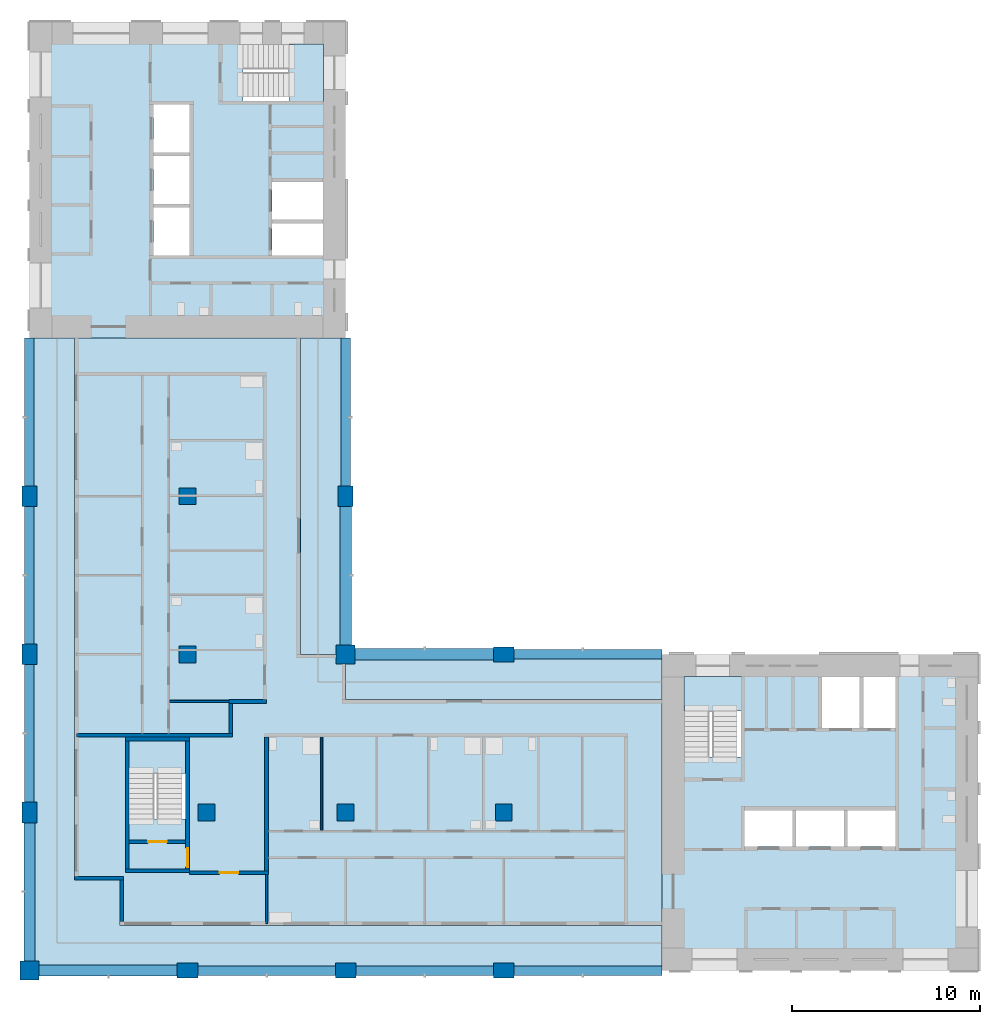
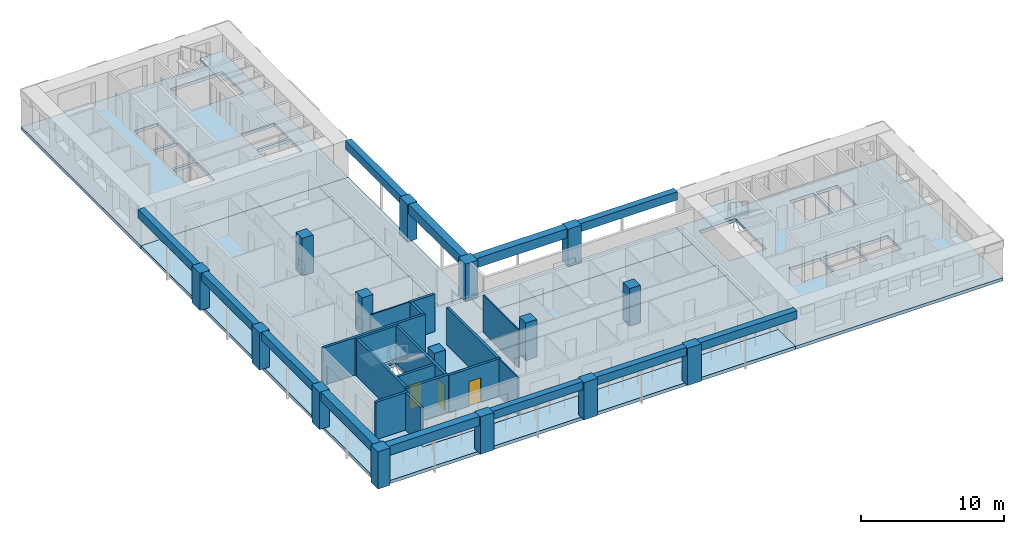
# One storey, part 1 of 10: 15 columns, 15 walls, 12 beams, 10 slabs, 3 doors, 3 openings, 3 elements without a shape of their own.
"""IFC4 building model written with IfcOpenShell, lengths in metres."""

from ifc_helpers import new_model, si_unit, direction, frame, frame_2d, origin, origin_2d, place, context, subcontext, project, spatial, polyline, rectangle, outline, extrude, material, layer, layer_set, material_profile, profile_set, type_object, element, fill, aggregate, save


model = new_model("IFC4")

# Units and contexts
model_context = context("Model", 3, precision=1e-05, world=origin(), true_north=direction((0.0, 1.0)))
body_context = subcontext(model_context, "Body", "Model", "MODEL_VIEW")
ifc_project = project(units=[si_unit("LENGTHUNIT", "METRE"), si_unit("AREAUNIT", "SQUARE_METRE"), si_unit("VOLUMEUNIT", "CUBIC_METRE"), si_unit("PLANEANGLEUNIT", "RADIAN"), si_unit("MASSUNIT", "GRAM", prefix="KILO")], contexts=[model_context])

# Site, building, storey
site_placement = place(None, origin())
site = spatial("IfcSite", under=ifc_project, at=site_placement, CompositionType="ELEMENT")
building_placement = place(site_placement, origin())
building = spatial("IfcBuilding", under=site, at=building_placement, Name="Vermilion Gate Residences", CompositionType="ELEMENT")
storey_placement = place(building_placement, frame((0.0, 0.0, 273.699951171875)))
storey = spatial("IfcBuildingStorey", under=building, at=storey_placement, Name="L72", CompositionType="ELEMENT", Elevation=273.699951171875)

# Columns
ifc_material_1 = material(Name="Concrete C50", Category="concrete")
ifc_material_profile_1 = material_profile(ifc_material_1, rectangle(XDim=1.0, YDim=1.0, at=origin_2d()), Name="RC-1000x1000")
ifc_profile_set_1 = profile_set([ifc_material_profile_1], Name="Concrete C50")
column_type_1 = type_object("IfcColumnType", Name="RC COLUMN 1000 X 1000 C50", PredefinedType="COLUMN", material=ifc_profile_set_1)
for number, where, z_axis, x_axis, name in (
    (1, (8.39990234375, 8.39990234375, 0.0), (0.0, 0.0, 1.0), (1.0, 0.0, 0.0), "Column 2-B L72"),
    (2, (25.199951171875, 25.199951171875, 0.0), (0.0, 0.0, 1.0), (1.0, 0.0, 0.0), "Column 4-D L72"),
):
    element("IfcColumn", number, at=place(storey_placement, frame(where, z_axis=z_axis, x_axis=x_axis)), inside=storey, type_object=column_type_1, Name=name, PredefinedType="COLUMN", context=body_context, shape_type="SweptSolid", body=[
        extrude(rectangle(XDim=1.0, YDim=1.0, at=origin_2d()), origin(), (0.0, 0.0, 1.0), 3.199951171875),
    ])
ifc_material_2 = material(Name="Concrete C50", Category="concrete")
ifc_material_profile_2 = material_profile(ifc_material_2, rectangle(XDim=1.10009765625, YDim=0.800048828125, at=origin_2d()), Name="RC-1100x800")
ifc_profile_set_2 = profile_set([ifc_material_profile_2], Name="Concrete C50")
column_type_2 = type_object("IfcColumnType", Name="RC COLUMN 1100 X 800 C50", PredefinedType="COLUMN", material=ifc_profile_set_2)
for number, where, z_axis, x_axis, name in (
    (3, (8.39990234375, 16.800048828125, 0.0), (0.0, 0.0, 1.0), (0.0, 1.0, 0.0), "Column 2-C L72"),
    (4, (8.39990234375, 25.199951171875, 0.0), (0.0, 0.0, 1.0), (0.0, 1.0, 0.0), "Column 2-D L72"),
    (5, (8.39990234375, 33.60009765625, 0.0), (0.0, 0.0, 1.0), (0.0, 1.0, 0.0), "Column 2-E L72"),
    (6, (16.800048828125, 8.39990234375, 0.0), (0.0, 0.0, 1.0), (1.0, 0.0, 0.0), "Column 3-B L72"),
    (7, (25.199951171875, 8.39990234375, 0.0), (0.0, 0.0, 1.0), (1.0, 0.0, 0.0), "Column 4-B L72"),
    (8, (25.199951171875, 33.60009765625, 0.0), (0.0, 0.0, 1.0), (0.0, 1.0, 0.0), "Column 4-E L72"),
    (9, (33.60009765625, 8.39990234375, 0.0), (0.0, 0.0, 1.0), (1.0, 0.0, 0.0), "Column 5-B L72"),
    (10, (33.60009765625, 25.199951171875, 0.0), (0.0, 0.0, 1.0), (1.0, 0.0, 0.0), "Column 5-D L72"),
):
    element("IfcColumn", number, at=place(storey_placement, frame(where, z_axis=z_axis, x_axis=x_axis)), inside=storey, type_object=column_type_2, Name=name, PredefinedType="COLUMN", context=body_context, shape_type="SweptSolid", body=[
        extrude(rectangle(XDim=1.10009765625, YDim=0.800048828125, at=origin_2d()), origin(), (0.0, 0.0, 1.0), 3.199951171875),
    ])
ifc_material_3 = material(Name="Concrete C50", Category="concrete")
ifc_material_profile_3 = material_profile(ifc_material_3, rectangle(XDim=0.89990234375, YDim=0.89990234375, at=origin_2d()), Name="RC-900x900")
ifc_profile_set_3 = profile_set([ifc_material_profile_3], Name="Concrete C50")
column_type_3 = type_object("IfcColumnType", Name="RC COLUMN 900 X 900 C50", PredefinedType="COLUMN", material=ifc_profile_set_3)
for number, where, z_axis, x_axis, name in (
    (11, (17.800048828125, 16.800048828125, 0.0), (0.0, 0.0, 1.0), (1.0, 0.0, 0.0), "Column 3-C L72"),
    (12, (16.800048828125, 25.199951171875, 0.0), (0.0, 0.0, 1.0), (1.0, 0.0, 0.0), "Column 3-D L72"),
    (13, (16.800048828125, 33.60009765625, 0.0), (0.0, 0.0, 1.0), (1.0, 0.0, 0.0), "Column 3-E L72"),
    (14, (25.199951171875, 16.800048828125, 0.0), (0.0, 0.0, 1.0), (1.0, 0.0, 0.0), "Column 4-C L72"),
    (15, (33.60009765625, 16.800048828125, 0.0), (0.0, 0.0, 1.0), (1.0, 0.0, 0.0), "Column 5-C L72"),
):
    element("IfcColumn", number, at=place(storey_placement, frame(where, z_axis=z_axis, x_axis=x_axis)), inside=storey, type_object=column_type_3, Name=name, PredefinedType="COLUMN", context=body_context, shape_type="SweptSolid", body=[
        extrude(rectangle(XDim=0.89990234375, YDim=0.89990234375, at=origin_2d()), origin(), (0.0, 0.0, 1.0), 3.199951171875),
    ])

# Beams
ifc_material_4 = material(Name="Concrete C60 red-oxide pigmented", Category="concrete")
ifc_material_profile_4 = material_profile(ifc_material_4, rectangle(XDim=0.60009765625, YDim=0.800048828125, at=origin_2d()), Name="RC-600x800")
ifc_profile_set_4 = profile_set([ifc_material_profile_4], Name="Concrete C60 red-oxide pigmented")
beam_type_1 = type_object("IfcBeamType", Name="RC CORNER EDGE BEAM 600 X 800 C60", PredefinedType="BEAM", material=ifc_profile_set_4)
for number, where, z_axis, x_axis, name in (
    (16, (8.89990234375, 8.39990234375, 2.800048828125), (1.0, 0.0, 0.0), (0.0, 1.0, 0.0), "Corner edge beam L72 1"),
    (17, (8.39990234375, 8.89990234375, 2.800048828125), (0.0, 1.0, 0.0), (-1.0, 0.0, 0.0), "Corner edge beam L72 2"),
    (18, (25.199951171875, 25.699951171875, 2.800048828125), (0.0, 1.0, 0.0), (-1.0, 0.0, 0.0), "Corner edge beam L72 7"),
    (19, (25.699951171875, 25.199951171875, 2.800048828125), (1.0, 0.0, 0.0), (0.0, 1.0, 0.0), "Corner edge beam L72 10"),
):
    element("IfcBeam", number, at=place(storey_placement, frame(where, z_axis=z_axis, x_axis=x_axis)), inside=storey, type_object=beam_type_1, Name=name, PredefinedType="BEAM", context=body_context, shape_type="SweptSolid", body=[
        extrude(rectangle(XDim=0.60009765625, YDim=0.800048828125, at=origin_2d()), origin(), (0.0, 0.0, 1.0), 7.35009765625),
    ])
ifc_material_5 = material(Name="Concrete C60 red-oxide pigmented", Category="concrete")
ifc_material_profile_5 = material_profile(ifc_material_5, rectangle(XDim=0.5, YDim=0.699951171875, at=origin_2d()), Name="RC-500x700")
ifc_profile_set_5 = profile_set([ifc_material_profile_5], Name="Concrete C60 red-oxide pigmented")
beam_type_2 = type_object("IfcBeamType", Name="RC EDGE BEAM 500 X 700 C60", PredefinedType="BEAM", material=ifc_profile_set_5)
beam_1_placement = place(storey_placement, frame((8.39990234375, 17.35009765625, 2.85009765625), z_axis=(0.0, 1.0, 0.0), x_axis=(-1.0, 0.0, 0.0)))
element("IfcBeam", 20, at=beam_1_placement, inside=storey, type_object=beam_type_2, Name="Edge beam L72 3", PredefinedType="BEAM", context=body_context, shape_type="SweptSolid", body=[
    extrude(rectangle(XDim=0.5, YDim=0.699951171875, at=origin_2d()), origin(), (0.0, 0.0, 1.0), 7.2998046875),
])
beam_2_placement = place(storey_placement, frame((8.39990234375, 25.75, 2.85009765625), z_axis=(0.0, 1.0, 0.0), x_axis=(-1.0, 0.0, 0.0)))
element("IfcBeam", 21, at=beam_2_placement, inside=storey, type_object=beam_type_2, Name="Edge beam L72 4", PredefinedType="BEAM", context=body_context, shape_type="SweptSolid", body=[
    extrude(rectangle(XDim=0.5, YDim=0.699951171875, at=origin_2d()), origin(), (0.0, 0.0, 1.0), 7.300048828125),
])
beam_3_placement = place(storey_placement, frame((8.39990234375, 34.14990234375, 2.85009765625), z_axis=(0.0, 1.0, 0.0), x_axis=(-1.0, 0.0, 0.0)))
element("IfcBeam", 22, at=beam_3_placement, inside=storey, type_object=beam_type_2, Name="Edge beam L72 5", PredefinedType="BEAM", context=body_context, shape_type="SweptSolid", body=[
    extrude(rectangle(XDim=0.5, YDim=0.699951171875, at=origin_2d()), origin(), (0.0, 0.0, 1.0), 7.85009765625),
])
beam_4_placement = place(storey_placement, frame((17.35009765625, 8.39990234375, 2.85009765625), z_axis=(1.0, 0.0, 0.0), x_axis=(0.0, 1.0, 0.0)))
element("IfcBeam", 23, at=beam_4_placement, inside=storey, type_object=beam_type_2, Name="Edge beam L72 6", PredefinedType="BEAM", context=body_context, shape_type="SweptSolid", body=[
    extrude(rectangle(XDim=0.5, YDim=0.699951171875, at=origin_2d()), origin(), (0.0, 0.0, 1.0), 7.2998046875),
])
beam_5_placement = place(storey_placement, frame((25.199951171875, 34.14990234375, 2.85009765625), z_axis=(0.0, 1.0, 0.0), x_axis=(-1.0, 0.0, 0.0)))
element("IfcBeam", 24, at=beam_5_placement, inside=storey, type_object=beam_type_2, Name="Edge beam L72 8", PredefinedType="BEAM", context=body_context, shape_type="SweptSolid", body=[
    extrude(rectangle(XDim=0.5, YDim=0.699951171875, at=origin_2d()), origin(), (0.0, 0.0, 1.0), 7.85009765625),
])
beam_6_placement = place(storey_placement, frame((25.75, 8.39990234375, 2.85009765625), z_axis=(1.0, 0.0, 0.0), x_axis=(0.0, 1.0, 0.0)))
element("IfcBeam", 25, at=beam_6_placement, inside=storey, type_object=beam_type_2, Name="Edge beam L72 9", PredefinedType="BEAM", context=body_context, shape_type="SweptSolid", body=[
    extrude(rectangle(XDim=0.5, YDim=0.699951171875, at=origin_2d()), origin(), (0.0, 0.0, 1.0), 7.300048828125),
])
for number, where, z_axis, x_axis, name in (
    (26, (34.14990234375, 8.39990234375, 2.85009765625), (1.0, 0.0, 0.0), (0.0, 1.0, 0.0), "Edge beam L72 11"),
    (27, (34.14990234375, 25.199951171875, 2.85009765625), (1.0, 0.0, 0.0), (0.0, 1.0, 0.0), "Edge beam L72 12"),
):
    element("IfcBeam", number, at=place(storey_placement, frame(where, z_axis=z_axis, x_axis=x_axis)), inside=storey, type_object=beam_type_2, Name=name, PredefinedType="BEAM", context=body_context, shape_type="SweptSolid", body=[
        extrude(rectangle(XDim=0.5, YDim=0.699951171875, at=origin_2d()), origin(), (0.0, 0.0, 1.0), 7.85009765625),
    ])

# Slabs
ifc_material_6 = material(Name="Concrete C50", Category="concrete")
ifc_layer_1 = layer(ifc_material_6, 0.280029296875)
ifc_layer_set_1 = layer_set([ifc_layer_1], Name="RC CORE FLOOR SLAB 280 C50")
slab_type_1 = type_object("IfcSlabType", Name="RC CORE FLOOR SLAB 280 C50", PredefinedType="FLOOR", material=ifc_layer_set_1)
slab_1_placement = place(storey_placement, frame((0.0, 0.0, -0.280029296875)))
element("IfcSlab", 28, at=slab_1_placement, inside=storey, type_object=slab_type_1, Name="Core floor slab A72", PredefinedType="FLOOR", context=body_context, shape_type="SweptSolid", body=[
    extrude(outline(polyline([(42.0, 8.39990234375), (58.800048828125, 8.39990234375), (58.800048828125, 25.199951171875), (42.0, 25.199951171875), (42.0, 8.39990234375)]), holes=[polyline([(46.39990234375, 15.0), (46.39990234375, 16.89990234375), (48.933349609375, 16.89990234375), (48.933349609375, 15.0), (46.39990234375, 15.0)]), polyline([(49.13330078125, 16.89990234375), (51.666748046875, 16.89990234375), (51.666748046875, 15.0), (49.13330078125, 15.0), (49.13330078125, 16.89990234375)]), polyline([(51.86669921875, 16.89990234375), (54.39990234375, 16.89990234375), (54.39990234375, 15.0), (51.86669921875, 15.0), (51.86669921875, 16.89990234375)]), polyline([(43.199951171875, 19.75), (43.199951171875, 24.0), (46.199951171875, 24.0), (46.199951171875, 19.75), (43.199951171875, 19.75)]), polyline([(50.5, 24.0), (52.5, 24.0), (52.5, 21.300048828125), (50.5, 21.300048828125), (50.5, 24.0)]), polyline([(52.699951171875, 24.0), (54.39990234375, 24.0), (54.39990234375, 21.300048828125), (52.699951171875, 21.300048828125), (52.699951171875, 24.0)])]), origin(), (0.0, 0.0, 1.0), 0.280029296875),
])
slab_2_placement = place(storey_placement, frame((0.0, 0.0, -0.280029296875)))
element("IfcSlab", 29, at=slab_2_placement, inside=storey, type_object=slab_type_1, Name="Core floor slab B72", PredefinedType="FLOOR", context=body_context, shape_type="SweptSolid", body=[
    extrude(outline(polyline([(8.39990234375, 42.0), (25.199951171875, 42.0), (25.199951171875, 58.800048828125), (8.39990234375, 58.800048828125), (8.39990234375, 42.0)]), holes=[polyline([(21.300048828125, 46.39990234375), (21.300048828125, 48.10009765625), (24.0, 48.10009765625), (24.0, 46.39990234375), (21.300048828125, 46.39990234375)]), polyline([(15.0, 48.933349609375), (16.89990234375, 48.933349609375), (16.89990234375, 46.39990234375), (15.0, 46.39990234375), (15.0, 48.933349609375)]), polyline([(21.300048828125, 50.300048828125), (24.0, 50.300048828125), (24.0, 48.300048828125), (21.300048828125, 48.300048828125), (21.300048828125, 50.300048828125)]), polyline([(15.0, 49.13330078125), (15.0, 51.666748046875), (16.89990234375, 51.666748046875), (16.89990234375, 49.13330078125), (15.0, 49.13330078125)]), polyline([(15.0, 54.39990234375), (16.89990234375, 54.39990234375), (16.89990234375, 51.86669921875), (15.0, 51.86669921875), (15.0, 54.39990234375)]), polyline([(19.75, 57.60009765625), (24.0, 57.60009765625), (24.0, 54.60009765625), (19.75, 54.60009765625), (19.75, 57.60009765625)])]), origin(), (0.0, 0.0, 1.0), 0.280029296875),
])
slab_3_placement = place(storey_placement, frame((0.0, 0.0, -0.280029296875)))
element("IfcSlab", 30, at=slab_3_placement, inside=storey, type_object=slab_type_1, Name="Apex stair floor slab 72", PredefinedType="FLOOR", context=body_context, shape_type="SweptSolid", body=[
    extrude(outline(polyline([(13.5, 13.60009765625), (16.89990234375, 13.60009765625), (16.89990234375, 20.800048828125), (13.5, 20.800048828125), (13.5, 13.60009765625)]), holes=[polyline([(16.699951171875, 20.60009765625), (16.699951171875, 16.449951171875), (13.699951171875, 16.449951171875), (13.699951171875, 20.60009765625), (16.699951171875, 20.60009765625)])]), origin(), (0.0, 0.0, 1.0), 0.280029296875),
])
ifc_material_7 = material(Name="Concrete C50", Category="concrete")
ifc_layer_2 = layer(ifc_material_7, 0.280029296875)
ifc_layer_set_2 = layer_set([ifc_layer_2], Name="RC FLAT PLATE 280 C50")
slab_type_2 = type_object("IfcSlabType", Name="RC FLAT PLATE 280 C50", PredefinedType="FLOOR", material=ifc_layer_set_2)
slab_4_placement = place(storey_placement, frame((0.0, 0.0, -0.280029296875)))
element("IfcSlab", 31, at=slab_4_placement, inside=storey, type_object=slab_type_2, Name="Floor slab L72", PredefinedType="FLOOR", context=body_context, shape_type="SweptSolid", body=[
    extrude(outline(polyline([(22.800048828125, 25.199951171875), (22.800048828125, 42.0), (10.800048828125, 42.0), (10.800048828125, 13.199951171875), (13.199951171875, 13.199951171875), (13.199951171875, 10.800048828125), (42.0, 10.800048828125), (42.0, 22.800048828125), (25.199951171875, 22.800048828125), (25.199951171875, 25.199951171875), (22.800048828125, 25.199951171875)]), holes=[polyline([(13.5, 13.60009765625), (13.5, 20.800048828125), (16.89990234375, 20.800048828125), (16.89990234375, 13.60009765625), (13.5, 13.60009765625)])]), origin(), (0.0, 0.0, 1.0), 0.280029296875),
])
ifc_material_8 = material(Name="Concrete C50 red-oxide pigmented", Category="concrete")
ifc_layer_3 = layer(ifc_material_8, 0.280029296875)
ifc_layer_set_3 = layer_set([ifc_layer_3], Name="RC LOGGIA SLAB 280 C50")
slab_type_3 = type_object("IfcSlabType", Name="RC LOGGIA SLAB 280 C50", PredefinedType="FLOOR", material=ifc_layer_set_3)
slab_5_placement = place(storey_placement, frame((0.0, 0.0, -0.280029296875)))
element("IfcSlab", 32, at=slab_5_placement, inside=storey, type_object=slab_type_3, Name="Loggia slab L72", PredefinedType="FLOOR", context=body_context, shape_type="SweptSolid", body=[
    extrude(outline(polyline([(8.39990234375, 8.39990234375), (42.0, 8.39990234375), (42.0, 10.800048828125), (13.199951171875, 10.800048828125), (13.199951171875, 13.199951171875), (10.800048828125, 13.199951171875), (10.800048828125, 42.0), (8.39990234375, 42.0), (8.39990234375, 8.39990234375)])), origin(), (0.0, 0.0, 1.0), 0.280029296875),
])
slab_6_placement = place(storey_placement, frame((0.0, 0.0, -0.280029296875)))
element("IfcSlab", 33, at=slab_6_placement, inside=storey, type_object=slab_type_3, Name="Loggia slab L72", PredefinedType="FLOOR", context=body_context, shape_type="SweptSolid", body=[
    extrude(outline(polyline([(25.199951171875, 22.800048828125), (42.0, 22.800048828125), (42.0, 25.199951171875), (25.199951171875, 25.199951171875), (25.199951171875, 22.800048828125)])), origin(), (0.0, 0.0, 1.0), 0.280029296875),
])
slab_7_placement = place(storey_placement, frame((0.0, 0.0, -0.280029296875)))
element("IfcSlab", 34, at=slab_7_placement, inside=storey, type_object=slab_type_3, Name="Loggia slab L72", PredefinedType="FLOOR", context=body_context, shape_type="SweptSolid", body=[
    extrude(outline(polyline([(25.199951171875, 42.0), (22.800048828125, 42.0), (22.800048828125, 25.199951171875), (25.199951171875, 25.199951171875), (25.199951171875, 42.0)])), origin(), (0.0, 0.0, 1.0), 0.280029296875),
])

# Stair, slab
ifc_material_9 = material(Name="Concrete C50", Category="concrete")
stair_type = type_object("IfcStairType", Name="SPECIAL ESCAPE STAIR 1300", PredefinedType="HALF_TURN_STAIR", material=ifc_material_9)
stair_1_placement = place(storey_placement, origin())
stair_1 = element("IfcStair", 35, at=stair_1_placement, inside=storey, type_object=stair_type, Name="Special escape stair STA1-72", PredefinedType="HALF_TURN_STAIR")
ifc_material_10 = material(Name="Concrete C50", Category="concrete")
ifc_layer_4 = layer(ifc_material_10, 0.199951171875)
ifc_layer_set_4 = layer_set([ifc_layer_4], Name="STAIR LANDING 200 C50")
slab_type_4 = type_object("IfcSlabType", Name="STAIR LANDING 200 C50", PredefinedType="LANDING", material=ifc_layer_set_4)
slab_8_placement = place(storey_placement, frame((0.0, 0.0, 1.550048828125)))
slab_8 = element("IfcSlab", 36, at=slab_8_placement, type_object=slab_type_4, Name="STA1-72 landing 1", PredefinedType="LANDING", context=body_context, shape_type="SweptSolid", body=[
    extrude(outline(polyline([(46.219970703125, 22.179931640625), (46.219970703125, 24.02001953125), (43.179931640625, 24.02001953125), (43.179931640625, 22.179931640625), (46.219970703125, 22.179931640625)])), origin(), (0.0, 0.0, 1.0), 0.199951171875),
])
aggregate(stair_1, [slab_8])

stair_2_placement = place(storey_placement, origin())
stair_2 = element("IfcStair", 37, at=stair_2_placement, inside=storey, type_object=stair_type, Name="Special escape stair STB1-72", PredefinedType="HALF_TURN_STAIR")
slab_9_placement = place(storey_placement, frame((0.0, 0.0, 1.550048828125)))
slab_9 = element("IfcSlab", 38, at=slab_9_placement, type_object=slab_type_4, Name="STB1-72 landing 1", PredefinedType="LANDING", context=body_context, shape_type="SweptSolid", body=[
    extrude(outline(polyline([(24.02001953125, 54.580078125), (24.02001953125, 57.6201171875), (22.179931640625, 57.6201171875), (22.179931640625, 54.580078125), (24.02001953125, 54.580078125)])), origin(), (0.0, 0.0, 1.0), 0.199951171875),
])
aggregate(stair_2, [slab_9])

stair_3_placement = place(storey_placement, origin())
stair_3 = element("IfcStair", 39, at=stair_3_placement, inside=storey, type_object=stair_type, Name="Special escape stair STC1-72", PredefinedType="HALF_TURN_STAIR")
slab_10_placement = place(storey_placement, frame((0.0, 0.0, 1.550048828125)))
slab_10 = element("IfcSlab", 40, at=slab_10_placement, type_object=slab_type_4, Name="STC1-72 landing 1", PredefinedType="LANDING", context=body_context, shape_type="SweptSolid", body=[
    extrude(outline(polyline([(16.719970703125, 18.8798828125), (16.719970703125, 20.6201171875), (13.679931640625, 20.6201171875), (13.679931640625, 18.8798828125), (16.719970703125, 18.8798828125)])), origin(), (0.0, 0.0, 1.0), 0.199951171875),
])
aggregate(stair_3, [slab_10])

# Walls
ifc_material_11 = material(Name="Insulated steel stud wall with terracotta rainscreen", Category="masonry")
ifc_layer_5 = layer(ifc_material_11, 0.199951171875)
ifc_layer_set_5 = layer_set([ifc_layer_5], Name="EXTERNAL WALL 200 TERRACOTTA RAINSCREEN")
wall_type_1 = type_object("IfcWallType", Name="EXTERNAL WALL 200 TERRACOTTA RAINSCREEN", PredefinedType="SOLIDWALL", material=ifc_layer_set_5)
wall_1_placement = place(storey_placement, frame((10.800048828125, 13.300048828125, 0.0), z_axis=(0.0, 0.0, 1.0), x_axis=(1.0, 0.0, 0.0)))
element("IfcWall", 41, at=wall_1_placement, inside=storey, type_object=wall_type_1, Name="External wall", PredefinedType="SOLIDWALL", context=body_context, shape_type="SweptSolid", body=[
    extrude(rectangle(XDim=2.599853515625, YDim=0.199951171875, at=frame_2d((1.2998046875, 0.0))), origin(), (0.0, 0.0, 1.0), 3.199951171875),
])
wall_2_placement = place(storey_placement, frame((13.300048828125, 13.199951171875, 0.0), z_axis=(0.0, 0.0, 1.0), x_axis=(0.0, -1.0, 0.0)))
element("IfcWall", 42, at=wall_2_placement, inside=storey, type_object=wall_type_1, Name="External wall", PredefinedType="SOLIDWALL", context=body_context, shape_type="SweptSolid", body=[
    extrude(rectangle(XDim=2.199951171875, YDim=0.199951171875, at=frame_2d((1.10009765625, 0.0))), origin(), (0.0, 0.0, 1.0), 3.199951171875),
])
ifc_material_12 = material(Name="Plasterboard on steel studs", Category="steel")
ifc_layer_6 = layer(ifc_material_12, 0.10009765625)
ifc_layer_set_6 = layer_set([ifc_layer_6], Name="PARTITION 100")
wall_type_2 = type_object("IfcWallType", Name="PARTITION 100", PredefinedType="PARTITIONING", material=ifc_layer_set_6)
wall_3_placement = place(storey_placement, frame((15.85009765625, 22.699951171875, 0.0), z_axis=(0.0, 0.0, 1.0), x_axis=(1.0, 0.0, 0.0)))
element("IfcWall", 43, at=wall_3_placement, inside=storey, type_object=wall_type_2, Name="Partition", PredefinedType="PARTITIONING", context=body_context, shape_type="SweptSolid", body=[
    extrude(rectangle(XDim=3.14990234375, YDim=0.10009765625, at=frame_2d((1.574951171875, 0.0))), origin(), (0.0, 0.0, 1.0), 3.199951171875),
])
wall_4_placement = place(storey_placement, frame((21.0, 10.89990234375, 0.0), z_axis=(0.0, 0.0, 1.0), x_axis=(0.0, 1.0, 0.0)))
element("IfcWall", 44, at=wall_4_placement, inside=storey, type_object=wall_type_2, Name="Partition", PredefinedType="PARTITIONING", context=body_context, shape_type="SweptSolid", body=[
    extrude(rectangle(XDim=2.60009765625, YDim=0.10009765625, at=frame_2d((1.300048828125, 0.0))), origin(), (0.0, 0.0, 1.0), 3.199951171875),
])
wall_5_placement = place(storey_placement, frame((23.928955078125, 15.85009765625, 0.0), z_axis=(0.0, 0.0, 1.0), x_axis=(0.0, 1.0, 0.0)))
element("IfcWall", 45, at=wall_5_placement, inside=storey, type_object=wall_type_2, Name="Partition", PredefinedType="PARTITIONING", context=body_context, shape_type="SweptSolid", body=[
    extrude(rectangle(XDim=4.949951171875, YDim=0.10009765625, at=frame_2d((2.47509765625, 0.0))), origin(), (0.0, 0.0, 1.0), 3.199951171875),
])

# Wall, opening, door
ifc_material_13 = material(Name="Fire-rated plasterboard on steel studs", Category="steel")
ifc_layer_7 = layer(ifc_material_13, 0.199951171875)
ifc_layer_set_7 = layer_set([ifc_layer_7], Name="PARTY WALL 200 EI 120")
wall_type_3 = type_object("IfcWallType", Name="PARTY WALL 200 EI 120", PredefinedType="PARTITIONING", material=ifc_layer_set_7)
wall_6_placement = place(storey_placement, frame((16.89990234375, 13.60009765625, 0.0), z_axis=(0.0, 0.0, 1.0), x_axis=(1.0, 0.0, 0.0)))
wall_6 = element("IfcWall", 46, at=wall_6_placement, inside=storey, type_object=wall_type_3, Name="Party and corridor wall", PredefinedType="PARTITIONING", context=body_context, shape_type="SweptSolid", body=[
    extrude(rectangle(XDim=4.2001953125, YDim=0.199951171875, at=frame_2d((2.10009765625, 0.0))), origin(), (0.0, 0.0, 1.0), 3.199951171875),
])
opening_1_placement = place(wall_6_placement, frame((1.60009765625, 0.0, 0.0)))
opening_1 = element("IfcOpeningElement", 47, at=opening_1_placement, cuts=wall_6, Name="Opening DA70001", PredefinedType="OPENING", context=body_context, shape_type="SweptSolid", body=[
    extrude(rectangle(XDim=1.0, YDim=2.10009765625, at=frame_2d((0.5, 1.050048828125))), frame((0.0, 0.10986328125, 0.0), z_axis=(0.0, -1.0, 0.0), x_axis=(1.0, 0.0, 0.0)), (0.0, 0.0, 1.0), 0.219970703125),
])
ifc_material_14 = material(Name="Steel", Category="steel")
door_type_1 = type_object("IfcDoorType", Name="ENTRANCE DOOR 1000 X 2100 FD30", OperationType="SINGLE_SWING_LEFT", PredefinedType="DOOR", material=ifc_material_14)
door_1_placement = place(opening_1_placement, frame((1.0, 0.0, 0.0), z_axis=(0.0, 0.0, 1.0), x_axis=(-1.0, 0.0, 0.0)))
door_1 = element("IfcDoor", 48, at=door_1_placement, inside=storey, type_object=door_type_1, Name="Entrance door", OperationType="SINGLE_SWING_LEFT", OverallHeight=2.10009765625, OverallWidth=1.0, PredefinedType="DOOR", context=body_context, shape_type="SweptSolid", body=[
    extrude(rectangle(XDim=1.0, YDim=2.10009765625, at=frame_2d((0.5, 1.050048828125))), frame((0.0, 0.02490234375, 0.0), z_axis=(0.0, -1.0, 0.0), x_axis=(1.0, 0.0, 0.0)), (0.0, 0.0, 1.0), 0.050048828125),
])
fill(opening_1, door_1)

# Walls
wall_7_placement = place(storey_placement, frame((10.89990234375, 20.89990234375, 0.0), z_axis=(0.0, 0.0, 1.0), x_axis=(1.0, 0.0, 0.0)))
element("IfcWall", 49, at=wall_7_placement, inside=storey, type_object=wall_type_3, Name="Party and corridor wall", PredefinedType="PARTITIONING", context=body_context, shape_type="SweptSolid", body=[
    extrude(rectangle(XDim=8.300048828125, YDim=0.199951171875, at=frame_2d((4.14990234375, 0.0))), origin(), (0.0, 0.0, 1.0), 3.199951171875),
])
wall_8_placement = place(storey_placement, frame((19.0, 22.699951171875, 0.0), z_axis=(0.0, 0.0, 1.0), x_axis=(1.0, 0.0, 0.0)))
element("IfcWall", 50, at=wall_8_placement, inside=storey, type_object=wall_type_3, Name="Party and corridor wall", PredefinedType="PARTITIONING", context=body_context, shape_type="SweptSolid", body=[
    extrude(rectangle(XDim=2.0, YDim=0.199951171875, at=frame_2d((1.0, 0.0))), origin(), (0.0, 0.0, 1.0), 3.199951171875),
])
wall_9_placement = place(storey_placement, frame((19.10009765625, 21.0, 0.0), z_axis=(0.0, 0.0, 1.0), x_axis=(0.0, 1.0, 0.0)))
element("IfcWall", 51, at=wall_9_placement, inside=storey, type_object=wall_type_3, Name="Party and corridor wall", PredefinedType="PARTITIONING", context=body_context, shape_type="SweptSolid", body=[
    extrude(rectangle(XDim=1.60009765625, YDim=0.199951171875, at=frame_2d((0.800048828125, 0.0))), origin(), (0.0, 0.0, 1.0), 3.199951171875),
])
wall_10_placement = place(storey_placement, frame((21.0, 13.699951171875, 0.0), z_axis=(0.0, 0.0, 1.0), x_axis=(0.0, 1.0, 0.0)))
element("IfcWall", 52, at=wall_10_placement, inside=storey, type_object=wall_type_3, Name="Party and corridor wall", PredefinedType="PARTITIONING", context=body_context, shape_type="SweptSolid", body=[
    extrude(rectangle(XDim=7.10009765625, YDim=0.199951171875, at=frame_2d((3.550048828125, 0.0))), origin(), (0.0, 0.0, 1.0), 3.199951171875),
])
ifc_material_15 = material(Name="Concrete C60", Category="concrete")
ifc_layer_8 = layer(ifc_material_15, 0.199951171875)
ifc_layer_set_8 = layer_set([ifc_layer_8], Name="RC CORE INTERNAL WALL 200 C60")
wall_type_4 = type_object("IfcWallType", Name="RC CORE INTERNAL WALL 200 C60", PredefinedType="SHEAR", material=ifc_layer_set_8)
wall_11_placement = place(storey_placement, frame((13.60009765625, 13.800048828125, 0.0), z_axis=(0.0, 0.0, 1.0), x_axis=(0.0, 1.0, 0.0)))
element("IfcWall", 53, at=wall_11_placement, inside=storey, type_object=wall_type_4, Name="Core internal wall C72-W", PredefinedType="SHEAR", context=body_context, shape_type="SweptSolid", body=[
    extrude(rectangle(XDim=6.800048828125, YDim=0.199951171875, at=frame_2d((3.39990234375, 0.0))), origin(), (0.0, 0.0, 1.0), 3.199951171875),
])

# Wall, opening, door
wall_12_placement = place(storey_placement, frame((16.800048828125, 13.800048828125, 0.0), z_axis=(0.0, 0.0, 1.0), x_axis=(0.0, 1.0, 0.0)))
wall_12 = element("IfcWall", 54, at=wall_12_placement, inside=storey, type_object=wall_type_4, Name="Core internal wall C72-E", PredefinedType="SHEAR", context=body_context, shape_type="SweptSolid", body=[
    extrude(rectangle(XDim=6.800048828125, YDim=0.199951171875, at=frame_2d((3.39990234375, 0.0))), origin(), (0.0, 0.0, 1.0), 3.199951171875),
])
opening_2_placement = place(wall_12_placement, frame((0.10009765625, 0.0, 0.0)))
opening_2 = element("IfcOpeningElement", 55, at=opening_2_placement, cuts=wall_12, Name="Opening DK72201", PredefinedType="OPENING", context=body_context, shape_type="SweptSolid", body=[
    extrude(rectangle(XDim=1.0, YDim=2.10009765625, at=frame_2d((0.5, 1.050048828125))), frame((0.0, 0.10986328125, 0.0), z_axis=(0.0, -1.0, 0.0), x_axis=(1.0, 0.0, 0.0)), (0.0, 0.0, 1.0), 0.219970703125),
])
ifc_material_16 = material(Name="Steel", Category="steel")
door_type_2 = type_object("IfcDoorType", Name="FIRE DOOR FD60 1000 X 2100", OperationType="SINGLE_SWING_LEFT", PredefinedType="DOOR", material=ifc_material_16)
door_2_placement = place(opening_2_placement, frame((1.0, 0.0, 0.0), z_axis=(0.0, 0.0, 1.0), x_axis=(-1.0, 0.0, 0.0)))
door_2 = element("IfcDoor", 56, at=door_2_placement, inside=storey, type_object=door_type_2, Name="Stair vestibule door C72", OperationType="SINGLE_SWING_RIGHT", OverallHeight=2.10009765625, OverallWidth=1.0, PredefinedType="DOOR", context=body_context, shape_type="SweptSolid", body=[
    extrude(rectangle(XDim=1.0, YDim=2.10009765625, at=frame_2d((0.5, 1.050048828125))), frame((0.0, 0.02490234375, 0.0), z_axis=(0.0, -1.0, 0.0), x_axis=(1.0, 0.0, 0.0)), (0.0, 0.0, 1.0), 0.050048828125),
])
fill(opening_2, door_2)

# Walls
for number, where, z_axis, x_axis, name in (
    (57, (13.5, 13.699951171875, 0.0), (0.0, 0.0, 1.0), (1.0, 0.0, 0.0), "Core internal wall C72-S"),
    (58, (13.5, 20.699951171875, 0.0), (0.0, 0.0, 1.0), (1.0, 0.0, 0.0), "Core internal wall C72-N"),
):
    element("IfcWall", number, at=place(storey_placement, frame(where, z_axis=z_axis, x_axis=x_axis)), inside=storey, type_object=wall_type_4, Name=name, PredefinedType="SHEAR", context=body_context, shape_type="SweptSolid", body=[
        extrude(rectangle(XDim=3.39990234375, YDim=0.199951171875, at=frame_2d((1.699951171875, 0.0))), origin(), (0.0, 0.0, 1.0), 3.199951171875),
    ])

# Wall, opening, door
wall_13_placement = place(storey_placement, frame((13.699951171875, 15.25, 0.0), z_axis=(0.0, 0.0, 1.0), x_axis=(1.0, 0.0, 0.0)))
wall_13 = element("IfcWall", 59, at=wall_13_placement, inside=storey, type_object=wall_type_4, Name="Core internal wall C72-P", PredefinedType="SHEAR", context=body_context, shape_type="SweptSolid", body=[
    extrude(rectangle(XDim=3.0, YDim=0.199951171875, at=frame_2d((1.5, 0.0))), origin(), (0.0, 0.0, 1.0), 3.199951171875),
])
opening_3_placement = place(wall_13_placement, frame((1.0, 0.0, 0.0)))
opening_3 = element("IfcOpeningElement", 60, at=opening_3_placement, cuts=wall_13, Name="Opening DK72202", PredefinedType="OPENING", context=body_context, shape_type="SweptSolid", body=[
    extrude(rectangle(XDim=1.0, YDim=2.10009765625, at=frame_2d((0.5, 1.050048828125))), frame((0.0, 0.10986328125, 0.0), z_axis=(0.0, -1.0, 0.0), x_axis=(1.0, 0.0, 0.0)), (0.0, 0.0, 1.0), 0.219970703125),
])
door_3_placement = place(opening_3_placement, origin())
door_3 = element("IfcDoor", 61, at=door_3_placement, inside=storey, type_object=door_type_2, Name="Stair door C72", OperationType="SINGLE_SWING_LEFT", OverallHeight=2.10009765625, OverallWidth=1.0, PredefinedType="DOOR", context=body_context, shape_type="SweptSolid", body=[
    extrude(rectangle(XDim=1.0, YDim=2.10009765625, at=frame_2d((0.5, 1.050048828125))), frame((0.0, 0.02490234375, 0.0), z_axis=(0.0, -1.0, 0.0), x_axis=(1.0, 0.0, 0.0)), (0.0, 0.0, 1.0), 0.050048828125),
])
fill(opening_3, door_3)

save(model, "model.ifc")
